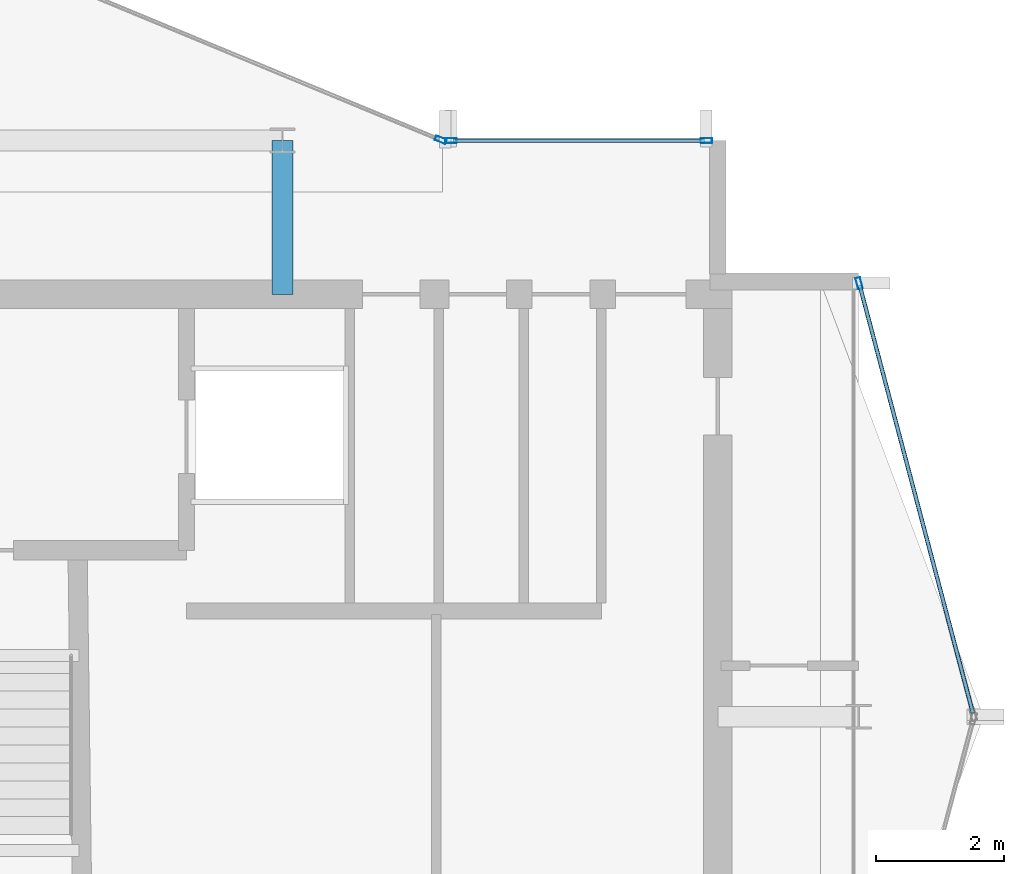
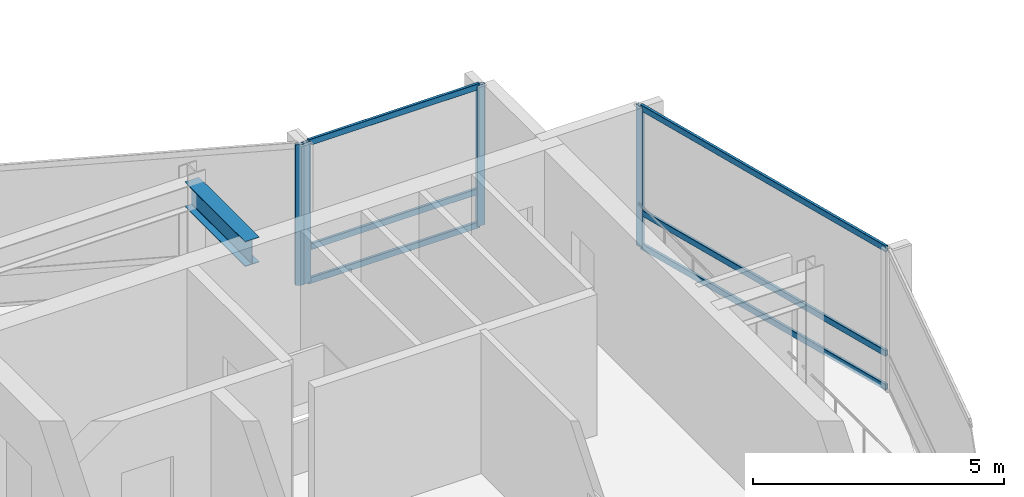
# One storey, part 10 of 19: 10 members, 1 beam, 3 elements without a shape of their own.
"""IFC4 building model written with IfcOpenShell, lengths in metres."""

from ifc_helpers import new_model, si_unit, direction, frame, origin, origin_2d, place, context, subcontext, project, spatial, hollow_rectangle, i_section, extrude, material, layer, layer_set, material_profile, profile_set, type_object, element, aggregate, save


model = new_model("IFC4")

# Units and contexts
model_context = context("Model", 3, precision=1e-05, world=origin(), true_north=direction((0.0, 1.0)))
body_context = subcontext(model_context, "Body", "Model", "MODEL_VIEW")
ifc_project = project(units=[si_unit("LENGTHUNIT", "METRE"), si_unit("AREAUNIT", "SQUARE_METRE"), si_unit("VOLUMEUNIT", "CUBIC_METRE"), si_unit("PLANEANGLEUNIT", "RADIAN"), si_unit("MASSUNIT", "GRAM", prefix="KILO")], contexts=[model_context])

# Site, building, storey
site_placement = place(None, origin())
site = spatial("IfcSite", under=ifc_project, at=site_placement, CompositionType="ELEMENT")
building_placement = place(site_placement, origin())
building = spatial("IfcBuilding", under=site, at=building_placement, Name="Solvaryn Broadcast Tower", CompositionType="ELEMENT")
storey_placement = place(building_placement, frame((0.0, 0.0, 259.300048828125)))
storey = spatial("IfcBuildingStorey", under=building, at=storey_placement, Name="L65", CompositionType="ELEMENT", Elevation=259.300048828125)

# Beam
ifc_material_1 = material(Name="Steel ASTM A992 Grade 50", Category="steel")
ifc_material_profile_1 = material_profile(ifc_material_1, i_section(OverallWidth=0.323974609375, OverallDepth=0.611083984375, WebThickness=0.0126953125, FlangeThickness=0.01904296875, FilletRadius=0.014892578125, at=origin_2d()))
ifc_profile_set_1 = profile_set([ifc_material_profile_1], Name="Steel ASTM A992 Grade 50")
beam_type = type_object("IfcBeamType", Name="BM-B1-W24X104", PredefinedType="BEAM", material=ifc_profile_set_1)
beam_placement = place(storey_placement, frame((36.0, 24.60009765625, 3.114501953125), z_axis=(0.0, 1.0, 0.0), x_axis=(-1.0, 0.0, 0.0)))
element("IfcBeam", 1, at=beam_placement, inside=storey, type_object=beam_type, Name="L65 Core Tie Beam CTE2", PredefinedType="BEAM", context=body_context, shape_type="SweptSolid", body=[
    extrude(i_section(OverallWidth=0.323974609375, OverallDepth=0.611083984375, WebThickness=0.0126953125, FlangeThickness=0.01904296875, FilletRadius=0.014892578125, at=origin_2d()), origin(), (0.0, 0.0, 1.0), 2.39990234375),
])

# Curtain wall, member
ifc_material_2 = material(Name="Aluminium and Terracotta Unitised Curtain Wall", Category="masonry")
ifc_layer = layer(ifc_material_2, 0.199951171875)
ifc_layer_set = layer_set([ifc_layer], Name="CW-SYS2-LOWMID")
curtain_wall_type = type_object("IfcCurtainWallType", Name="CW-SYS2-LOWMID", PredefinedType="NOTDEFINED", material=ifc_layer_set)
curtain_wall_1_placement = place(storey_placement, origin())
curtain_wall_1 = element("IfcCurtainWall", 2, at=curtain_wall_1_placement, inside=storey, type_object=curtain_wall_type, Name="L65 Curtain Wall CN1", PredefinedType="NOTDEFINED")
ifc_material_3 = material(Name="Anodised Aluminium 6063-T6", Category="aluminium")
ifc_material_profile_2 = material_profile(ifc_material_3, hollow_rectangle(XDim=0.074951171875, YDim=0.179931640625, WallThickness=0.00390625, InnerFilletRadius=0.00390625, OuterFilletRadius=0.008056640625, at=origin_2d()))
ifc_profile_set_2 = profile_set([ifc_material_profile_2], Name="Anodised Aluminium 6063-T6")
member_type_1 = type_object("IfcMemberType", Name="CW-MUL-180", PredefinedType="MULLION", material=ifc_profile_set_2)
member_1_placement = place(storey_placement, frame((38.47216796875, 27.011474609375, 0.0), z_axis=(0.0, 0.0, 1.0), x_axis=(-0.382646127145, -0.923894983957, 0.0)))
member_1 = element("IfcMember", 3, at=member_1_placement, type_object=member_type_1, Name="CWS2 mullion 1", PredefinedType="MULLION", context=body_context, shape_type="SweptSolid", body=[
    extrude(hollow_rectangle(XDim=0.074951171875, YDim=0.179931640625, WallThickness=0.00390625, InnerFilletRadius=0.00390625, OuterFilletRadius=0.008056640625, at=origin_2d()), origin(), (0.0, 0.0, 1.0), 3.419921875),
])
aggregate(curtain_wall_1, [member_1])

curtain_wall_2_placement = place(storey_placement, origin())
curtain_wall_2 = element("IfcCurtainWall", 4, at=curtain_wall_2_placement, inside=storey, type_object=curtain_wall_type, Name="L65 Curtain Wall ET1", PredefinedType="NOTDEFINED")
member_2_placement = place(storey_placement, frame((45.007568359375, 24.77099609375, 0.0), z_axis=(0.0, 0.0, 1.0), x_axis=(0.966705227863, 0.25589256031, 0.0)))
member_2 = element("IfcMember", 5, at=member_2_placement, type_object=member_type_1, Name="CWS2 mullion 1", PredefinedType="MULLION", context=body_context, shape_type="SweptSolid", body=[
    extrude(hollow_rectangle(XDim=0.074951171875, YDim=0.179931640625, WallThickness=0.00390625, InnerFilletRadius=0.00390625, OuterFilletRadius=0.008056640625, at=origin_2d()), origin(), (0.0, 0.0, 1.0), 3.419921875),
])

# Curtain wall, members
curtain_wall_3_placement = place(storey_placement, origin())
curtain_wall_3 = element("IfcCurtainWall", 6, at=curtain_wall_3_placement, inside=storey, type_object=curtain_wall_type, Name="L65 Curtain Wall IH", PredefinedType="NOTDEFINED")
member_3_placement = place(storey_placement, frame((38.6298828125, 27.0, 0.0), z_axis=(0.0, 0.0, 1.0), x_axis=(0.0, 1.0, 0.0)))
member_3 = element("IfcMember", 7, at=member_3_placement, type_object=member_type_1, Name="CWS2 mullion 1", PredefinedType="MULLION", context=body_context, shape_type="SweptSolid", body=[
    extrude(hollow_rectangle(XDim=0.074951171875, YDim=0.179931640625, WallThickness=0.00390625, InnerFilletRadius=0.00390625, OuterFilletRadius=0.008056640625, at=origin_2d()), origin(), (0.0, 0.0, 1.0), 3.419921875),
])
member_4_placement = place(storey_placement, frame((42.6201171875, 27.0, 0.0), z_axis=(0.0, 0.0, 1.0), x_axis=(0.0, 1.0, 0.0)))
member_4 = element("IfcMember", 8, at=member_4_placement, type_object=member_type_1, Name="CWS2 mullion 2", PredefinedType="MULLION", context=body_context, shape_type="SweptSolid", body=[
    extrude(hollow_rectangle(XDim=0.074951171875, YDim=0.179931640625, WallThickness=0.00390625, InnerFilletRadius=0.00390625, OuterFilletRadius=0.008056640625, at=origin_2d()), origin(), (0.0, 0.0, 1.0), 3.419921875),
])

# Member
ifc_material_4 = material(Name="Anodised Aluminium 6063-T6", Category="aluminium")
ifc_material_profile_3 = material_profile(ifc_material_4, hollow_rectangle(XDim=0.06494140625, YDim=0.14990234375, WallThickness=0.00390625, InnerFilletRadius=0.00390625, OuterFilletRadius=0.008056640625, at=origin_2d()))
ifc_profile_set_3 = profile_set([ifc_material_profile_3], Name="Anodised Aluminium 6063-T6")
member_type_2 = type_object("IfcMemberType", Name="CW-TRN-150", PredefinedType="USERDEFINED", material=ifc_profile_set_3)
member_5_placement = place(storey_placement, frame((45.015380859375, 24.741943359375, 0.030029296875), z_axis=(0.255897413051, -0.966703943301, 0.0), x_axis=(0.966703943301, 0.255897413051, 0.0)))
member_5 = element("IfcMember", 9, at=member_5_placement, type_object=member_type_2, Name="CWS2 transom 1.1", ObjectType="TRANSOM", PredefinedType="USERDEFINED", context=body_context, shape_type="SweptSolid", body=[
    extrude(hollow_rectangle(XDim=0.06494140625, YDim=0.14990234375, WallThickness=0.00390625, InnerFilletRadius=0.00390625, OuterFilletRadius=0.008056640625, at=origin_2d()), origin(), (0.0, 0.0, 1.0), 6.9140625),
])

member_6_placement = place(storey_placement, frame((45.015380859375, 24.741943359375, 0.849853515625), z_axis=(0.255897413051, -0.966703943301, 0.0), x_axis=(0.966703943301, 0.255897413051, 0.0)))
member_6 = element("IfcMember", 10, at=member_6_placement, type_object=member_type_2, Name="CWS2 transom 1.2", ObjectType="TRANSOM", PredefinedType="USERDEFINED", context=body_context, shape_type="SweptSolid", body=[
    extrude(hollow_rectangle(XDim=0.06494140625, YDim=0.14990234375, WallThickness=0.00390625, InnerFilletRadius=0.00390625, OuterFilletRadius=0.008056640625, at=origin_2d()), origin(), (0.0, 0.0, 1.0), 6.9140625),
])

member_7_placement = place(storey_placement, frame((45.015380859375, 24.741943359375, 3.389892578125), z_axis=(0.255897413051, -0.966703943301, 0.0), x_axis=(0.966703943301, 0.255897413051, 0.0)))
member_7 = element("IfcMember", 11, at=member_7_placement, type_object=member_type_2, Name="CWS2 transom 1.3", ObjectType="TRANSOM", PredefinedType="USERDEFINED", context=body_context, shape_type="SweptSolid", body=[
    extrude(hollow_rectangle(XDim=0.06494140625, YDim=0.14990234375, WallThickness=0.00390625, InnerFilletRadius=0.00390625, OuterFilletRadius=0.008056640625, at=origin_2d()), origin(), (0.0, 0.0, 1.0), 6.9140625),
])

aggregate(curtain_wall_2, [member_2, member_5, member_6, member_7])

member_8_placement = place(storey_placement, frame((38.659912109375, 27.0, 0.030029296875), z_axis=(1.0, 0.0, 0.0), x_axis=(0.0, 1.0, 0.0)))
member_8 = element("IfcMember", 12, at=member_8_placement, type_object=member_type_2, Name="CWS2 transom 1.1", ObjectType="TRANSOM", PredefinedType="USERDEFINED", context=body_context, shape_type="SweptSolid", body=[
    extrude(hollow_rectangle(XDim=0.06494140625, YDim=0.14990234375, WallThickness=0.00390625, InnerFilletRadius=0.00390625, OuterFilletRadius=0.008056640625, at=origin_2d()), origin(), (0.0, 0.0, 1.0), 3.93017578125),
])

member_9_placement = place(storey_placement, frame((38.659912109375, 27.0, 0.849853515625), z_axis=(1.0, 0.0, 0.0), x_axis=(0.0, 1.0, 0.0)))
member_9 = element("IfcMember", 13, at=member_9_placement, type_object=member_type_2, Name="CWS2 transom 1.2", ObjectType="TRANSOM", PredefinedType="USERDEFINED", context=body_context, shape_type="SweptSolid", body=[
    extrude(hollow_rectangle(XDim=0.06494140625, YDim=0.14990234375, WallThickness=0.00390625, InnerFilletRadius=0.00390625, OuterFilletRadius=0.008056640625, at=origin_2d()), origin(), (0.0, 0.0, 1.0), 3.93017578125),
])

member_10_placement = place(storey_placement, frame((38.659912109375, 27.0, 3.389892578125), z_axis=(1.0, 0.0, 0.0), x_axis=(0.0, 1.0, 0.0)))
member_10 = element("IfcMember", 14, at=member_10_placement, type_object=member_type_2, Name="CWS2 transom 1.3", ObjectType="TRANSOM", PredefinedType="USERDEFINED", context=body_context, shape_type="SweptSolid", body=[
    extrude(hollow_rectangle(XDim=0.06494140625, YDim=0.14990234375, WallThickness=0.00390625, InnerFilletRadius=0.00390625, OuterFilletRadius=0.008056640625, at=origin_2d()), origin(), (0.0, 0.0, 1.0), 3.93017578125),
])

aggregate(curtain_wall_3, [member_3, member_4, member_8, member_9, member_10])

save(model, "model.ifc")
